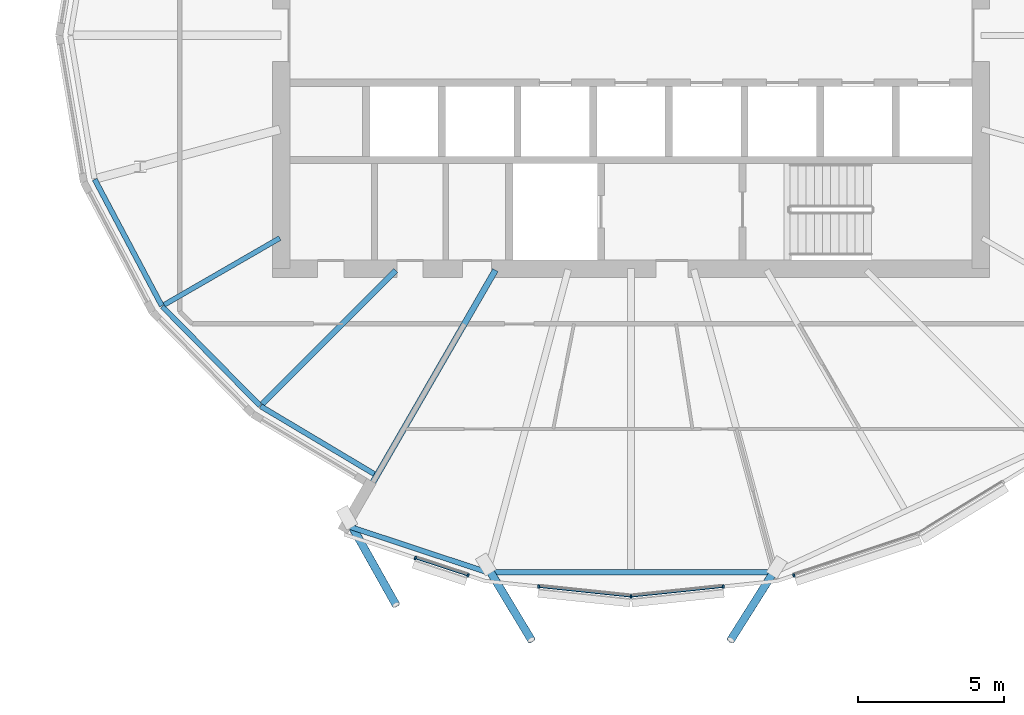
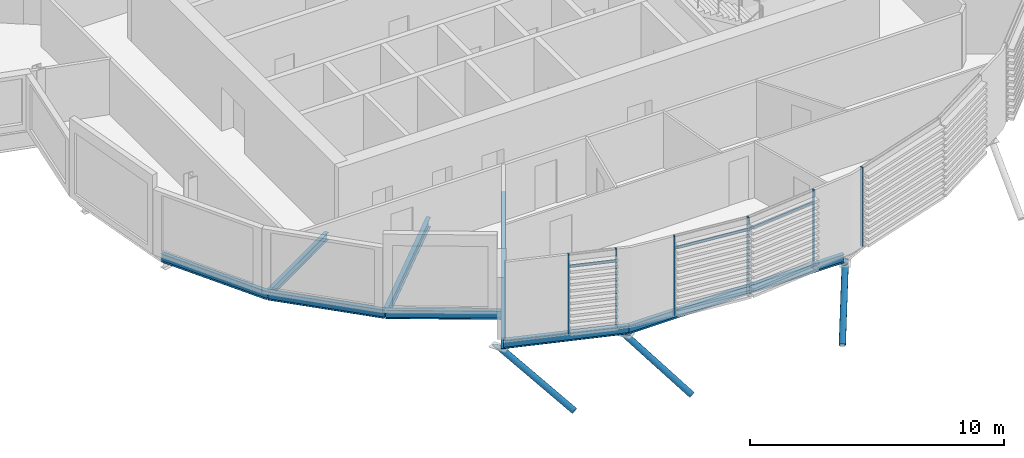
# One storey, part 3 of 36: 12 members, 8 beams, 1 element without a shape of its own.
"""IFC4 building model written with IfcOpenShell, lengths in metres."""

from ifc_helpers import new_model, si_unit, direction, frame, origin, origin_2d, place, context, subcontext, project, spatial, rectangle, hollow_circle, i_section, extrude, clip, halfspace, material, material_profile, profile_set, type_object, element, aggregate, save


model = new_model("IFC4")

# Units and contexts
model_context = context("Model", 3, precision=1e-05, world=origin(), true_north=direction((0.0, 1.0)))
body_context = subcontext(model_context, "Body", "Model", "MODEL_VIEW")
ifc_project = project(units=[si_unit("LENGTHUNIT", "METRE"), si_unit("AREAUNIT", "SQUARE_METRE"), si_unit("VOLUMEUNIT", "CUBIC_METRE"), si_unit("PLANEANGLEUNIT", "RADIAN"), si_unit("MASSUNIT", "GRAM", prefix="KILO")], contexts=[model_context])

# Site, building, storey
site_placement = place(None, origin())
site = spatial("IfcSite", under=ifc_project, at=site_placement, CompositionType="ELEMENT")
building_placement = place(site_placement, origin())
building = spatial("IfcBuilding", under=site, at=building_placement, Name="Rimbun Link Towers", CompositionType="ELEMENT")
storey_placement = place(building_placement, frame((0.0, 0.0, 200.699951171875)))
storey = spatial("IfcBuildingStorey", under=building, at=storey_placement, Name="L49", CompositionType="ELEMENT", Elevation=200.699951171875)

# Curtain wall, members
ifc_material_1 = material(Name="Aluminium 6063-T6 and low-iron glass", Category="aluminium")
curtain_wall_type = type_object("IfcCurtainWallType", Name="CW1-Z3 unitised vision wall (zone 3)", PredefinedType="NOTDEFINED", material=ifc_material_1)
curtain_wall_placement = place(storey_placement, origin())
curtain_wall = element("IfcCurtainWall", 1, at=curtain_wall_placement, inside=storey, type_object=curtain_wall_type, Name="CW1 L49 T1", PredefinedType="NOTDEFINED")
ifc_material_2 = material(Name="Aluminium 6063-T6", Category="aluminium")
ifc_material_profile_1 = material_profile(ifc_material_2, rectangle(XDim=0.1201171875, YDim=0.06005859375, at=origin_2d()), Name="MULLION 60X120")
ifc_profile_set_1 = profile_set([ifc_material_profile_1], Name="Aluminium 6063-T6")
member_type_1 = type_object("IfcMemberType", Name="CW1 mullion 60X120", PredefinedType="MULLION", material=ifc_profile_set_1)
member_1_placement = place(storey_placement, frame((-37.337158203125, -18.5234375, 0.0), z_axis=(0.0, 0.0, 1.0), x_axis=(-0.314557993327, -0.949238257149, 0.0)))
member_1 = element("IfcMember", 2, at=member_1_placement, type_object=member_type_1, Name="CW1 mullion", PredefinedType="MULLION", context=body_context, shape_type="SweptSolid", body=[
    extrude(rectangle(XDim=0.1201171875, YDim=0.06005859375, at=origin_2d()), origin(), (0.0, 0.0, 1.0), 3.800048828125),
])
member_2_placement = place(storey_placement, frame((-39.14453125, -17.924560546875, 0.0), z_axis=(0.0, 0.0, 1.0), x_axis=(-0.314557993327, -0.949238257149, 0.0)))
member_2 = element("IfcMember", 3, at=member_2_placement, type_object=member_type_1, Name="CW1 mullion", PredefinedType="MULLION", context=body_context, shape_type="SweptSolid", body=[
    extrude(rectangle(XDim=0.1201171875, YDim=0.06005859375, at=origin_2d()), origin(), (0.0, 0.0, 1.0), 3.800048828125),
])
member_3_placement = place(storey_placement, frame((-31.75, -19.24169921875, 0.0), z_axis=(0.0, 0.0, 1.0), x_axis=(0.0, -1.0, 0.0)))
member_3 = element("IfcMember", 4, at=member_3_placement, type_object=member_type_1, Name="CW1 mullion", PredefinedType="MULLION", context=body_context, shape_type="SweptSolid", body=[
    extrude(rectangle(XDim=0.1201171875, YDim=0.06005859375, at=origin_2d()), origin(), (0.0, 0.0, 1.0), 3.800048828125),
])
member_4_placement = place(storey_placement, frame((-34.915283203125, -18.90869140625, 0.0), z_axis=(0.0, 0.0, 1.0), x_axis=(-0.104747958219, -0.994498801029, 0.0)))
member_4 = element("IfcMember", 5, at=member_4_placement, type_object=member_type_1, Name="CW1 mullion", PredefinedType="MULLION", context=body_context, shape_type="SweptSolid", body=[
    extrude(rectangle(XDim=0.1201171875, YDim=0.06005859375, at=origin_2d()), origin(), (0.0, 0.0, 1.0), 3.800048828125),
])
member_5_placement = place(storey_placement, frame((-28.584716796875, -18.90869140625, 0.0), z_axis=(0.0, 0.0, 1.0), x_axis=(0.104747958219, -0.994498801029, 0.0)))
member_5 = element("IfcMember", 6, at=member_5_placement, type_object=member_type_1, Name="CW1 mullion", PredefinedType="MULLION", context=body_context, shape_type="SweptSolid", body=[
    extrude(rectangle(XDim=0.1201171875, YDim=0.06005859375, at=origin_2d()), origin(), (0.0, 0.0, 1.0), 3.800048828125),
])
member_6_placement = place(storey_placement, frame((-26.162841796875, -18.5234375, 0.0), z_axis=(0.0, 0.0, 1.0), x_axis=(0.314557993327, -0.949238257149, 0.0)))
member_6 = element("IfcMember", 7, at=member_6_placement, type_object=member_type_1, Name="CW1 mullion", PredefinedType="MULLION", context=body_context, shape_type="SweptSolid", body=[
    extrude(rectangle(XDim=0.1201171875, YDim=0.06005859375, at=origin_2d()), origin(), (0.0, 0.0, 1.0), 3.800048828125),
])
ifc_material_3 = material(Name="Aluminium 6063-T6", Category="aluminium")
ifc_material_profile_2 = material_profile(ifc_material_3, rectangle(XDim=0.06005859375, YDim=0.1201171875, at=origin_2d()), Name="TRANSOM 60X120")
ifc_profile_set_2 = profile_set([ifc_material_profile_2], Name="Aluminium 6063-T6")
member_type_2 = type_object("IfcMemberType", Name="CW1 transom 60X120", PredefinedType="USERDEFINED", material=ifc_profile_set_2)
member_7_placement = place(storey_placement, frame((-37.364990234375, -18.511962890625, 3.199951171875), z_axis=(-0.949264302387, 0.314479385991, 0.0), x_axis=(-0.314479385991, -0.949264302387, 0.0)))
member_7 = element("IfcMember", 8, at=member_7_placement, type_object=member_type_2, Name="CW1 transom", ObjectType="TRANSOM", PredefinedType="USERDEFINED", context=body_context, shape_type="SweptSolid", body=[
    extrude(rectangle(XDim=0.06005859375, YDim=0.1201171875, at=origin_2d()), origin(), (0.0, 0.0, 1.0), 1.84375),
])
member_8_placement = place(storey_placement, frame((-31.785888671875, -19.236328125, 3.199951171875), z_axis=(-0.994499011805, 0.104745957049, 0.0), x_axis=(-0.104745957049, -0.994499011805, 0.0)))
member_8 = element("IfcMember", 9, at=member_8_placement, type_object=member_type_2, Name="CW1 transom", ObjectType="TRANSOM", PredefinedType="USERDEFINED", context=body_context, shape_type="SweptSolid", body=[
    extrude(rectangle(XDim=0.06005859375, YDim=0.1201171875, at=origin_2d()), origin(), (0.0, 0.0, 1.0), 3.1162109375),
])
member_9_placement = place(storey_placement, frame((-28.614990234375, -18.909912109375, 3.199951171875), z_axis=(-0.994499011805, -0.104745957049, 0.0), x_axis=(0.104745957049, -0.994499011805, 0.0)))
member_9 = element("IfcMember", 10, at=member_9_placement, type_object=member_type_2, Name="CW1 transom", ObjectType="TRANSOM", PredefinedType="USERDEFINED", context=body_context, shape_type="SweptSolid", body=[
    extrude(rectangle(XDim=0.06005859375, YDim=0.1201171875, at=origin_2d()), origin(), (0.0, 0.0, 1.0), 3.1162109375),
])
aggregate(curtain_wall, [member_1, member_2, member_3, member_4, member_5, member_6, member_7, member_8, member_9])

# Members
ifc_material_4 = material(Name="Steel S355J2H", Category="steel")
ifc_material_profile_3 = material_profile(ifc_material_4, hollow_circle(Radius=0.136474609375, WallThickness=0.012451171875, at=origin_2d()), Name="CHS 273x12.5")
ifc_profile_set_3 = profile_set([ifc_material_profile_3], Name="Steel S355J2H")
member_type_3 = type_object("IfcMemberType", Name="Floor edge link CHS 273x12.5", PredefinedType="BRACE", material=ifc_profile_set_3)
member_10_placement = place(storey_placement, frame((-41.39501953125, -16.705810546875, -0.803955078125), z_axis=(0.431829274361, -0.769067374338, -0.47123120815), x_axis=(0.871948863789, 0.489596955604, 0.0)))
element("IfcMember", 11, at=member_10_placement, inside=storey, type_object=member_type_3, Name="Floor edge link T1 L49 16", PredefinedType="BRACE", context=body_context, shape_type="Clipping", body=[
    clip(extrude(hollow_circle(Radius=0.136474609375, WallThickness=0.012451171875, at=origin_2d()), frame((0.0, 0.0, -0.531982421875)), (0.0, 0.0, 1.0), 4.212646484375), halfspace(frame((0.0, 0.0, -0.25244140625), z_axis=(0.0, 0.882009721299, -0.47123120815)), False)),
])
member_11_placement = place(storey_placement, frame((-36.64697265625, -18.275390625, -0.868408203125), z_axis=(0.437688317165, -0.727106479551, -0.528909353682), x_axis=(0.856751563011, 0.515729346924, 0.0)))
element("IfcMember", 12, at=member_11_placement, inside=storey, type_object=member_type_3, Name="Floor edge link T1 L49 17", PredefinedType="BRACE", context=body_context, shape_type="Clipping", body=[
    clip(extrude(hollow_circle(Radius=0.136474609375, WallThickness=0.012451171875, at=origin_2d()), frame((0.0, 0.0, -0.456787109375)), (0.0, 0.0, 1.0), 3.8505859375), halfspace(frame((0.0, 0.0, -0.21533203125), z_axis=(0.0, 0.848678322799, -0.528909353682)), False)),
])
member_12_placement = place(storey_placement, frame((-26.829833984375, -18.3623046875, -0.867919921875), z_axis=(-0.450115892744, -0.713858527512, -0.536471514433), x_axis=(0.845885696157, -0.533364217994, 0.0)))
element("IfcMember", 13, at=member_12_placement, inside=storey, type_object=member_type_3, Name="Floor edge link T1 L49 19", PredefinedType="BRACE", context=body_context, shape_type="Clipping", body=[
    clip(extrude(hollow_circle(Radius=0.136474609375, WallThickness=0.012451171875, at=origin_2d()), frame((0.0, 0.0, -0.447998046875)), (0.0, 0.0, 1.0), 3.789794921875), halfspace(frame((0.0, 0.0, -0.21142578125), z_axis=(0.0, 0.843918428642, -0.536471514433)), False)),
])

# Beams
ifc_material_5 = material(Name="Steel S355J2", Category="steel")
ifc_material_profile_4 = material_profile(ifc_material_5, i_section(OverallWidth=0.17138671875, OverallDepth=0.35498046875, WebThickness=0.00732421875, FlangeThickness=0.011474609375, at=origin_2d()), Name="UB 356x171x51")
ifc_profile_set_4 = profile_set([ifc_material_profile_4], Name="Steel S355J2")
beam_type_1 = type_object("IfcBeamType", Name="UB 356x171x51", PredefinedType="BEAM", material=ifc_profile_set_4)
beam_1_placement = place(storey_placement, frame((-43.793701171875, -6.95361328125, -0.327392578125), z_axis=(-0.866047865585, -0.499961093003, 0.0), x_axis=(0.499961093003, -0.866047865585, 0.0)))
element("IfcBeam", 14, at=beam_1_placement, inside=storey, type_object=beam_type_1, Name="Radial beam T1 L49 14", PredefinedType="BEAM", context=body_context, shape_type="SweptSolid", body=[
    extrude(i_section(OverallWidth=0.17138671875, OverallDepth=0.35498046875, WebThickness=0.00732421875, FlangeThickness=0.011474609375, at=origin_2d()), origin(), (0.0, 0.0, 1.0), 4.575439453125),
])
ifc_material_6 = material(Name="Steel S355J2", Category="steel")
ifc_material_profile_5 = material_profile(ifc_material_6, i_section(OverallWidth=0.177978515625, OverallDepth=0.406494140625, WebThickness=0.0078125, FlangeThickness=0.0126953125, at=origin_2d()), Name="UB 406x178x60")
ifc_profile_set_5 = profile_set([ifc_material_profile_5], Name="Steel S355J2")
beam_type_2 = type_object("IfcBeamType", Name="UB 406x178x60", PredefinedType="BEAM", material=ifc_profile_set_5)
beam_2_placement = place(storey_placement, frame((-50.14013671875, -4.943115234375, -0.353271484375), z_axis=(0.468829980345, -0.88328842941, 0.0), x_axis=(0.88328842941, 0.468829980345, 0.0)))
element("IfcBeam", 15, at=beam_2_placement, inside=storey, type_object=beam_type_2, Name="Edge beam T1 L49 13 recess", PredefinedType="BEAM", context=body_context, shape_type="SweptSolid", body=[
    extrude(i_section(OverallWidth=0.177978515625, OverallDepth=0.406494140625, WebThickness=0.0078125, FlangeThickness=0.0126953125, at=origin_2d()), origin(), (0.0, 0.0, 1.0), 4.9033203125),
])
beam_3_placement = place(storey_placement, frame((-47.824951171875, -9.29638671875, -0.353271484375), z_axis=(0.701647333503, -0.712524399153, 0.0), x_axis=(0.712524399153, 0.701647333503, 0.0)))
element("IfcBeam", 16, at=beam_3_placement, inside=storey, type_object=beam_type_2, Name="Edge beam T1 L49 14 recess", PredefinedType="BEAM", context=body_context, shape_type="SweptSolid", body=[
    extrude(i_section(OverallWidth=0.177978515625, OverallDepth=0.406494140625, WebThickness=0.0078125, FlangeThickness=0.0126953125, at=origin_2d()), origin(), (0.0, 0.0, 1.0), 4.78076171875),
])
beam_4_placement = place(storey_placement, frame((-44.451171875, -12.71826171875, -0.353271484375), z_axis=(0.858768378679, -0.512364003206, 0.0), x_axis=(0.512364003206, 0.858768378679, 0.0)))
element("IfcBeam", 17, at=beam_4_placement, inside=storey, type_object=beam_type_2, Name="Edge beam T1 L49 15 recess", PredefinedType="BEAM", context=body_context, shape_type="SweptSolid", body=[
    extrude(i_section(OverallWidth=0.177978515625, OverallDepth=0.406494140625, WebThickness=0.0078125, FlangeThickness=0.0126953125, at=origin_2d()), origin(), (0.0, 0.0, 1.0), 4.533935546875),
])
beam_5_placement = place(storey_placement, frame((-41.465087890625, -16.828857421875, -0.353271484375), z_axis=(0.94940318959, -0.314059840789, 0.0), x_axis=(0.314059840789, 0.94940318959, 0.0)))
element("IfcBeam", 18, at=beam_5_placement, inside=storey, type_object=beam_type_2, Name="Edge beam T1 L49 16", PredefinedType="BEAM", context=body_context, shape_type="SweptSolid", body=[
    extrude(i_section(OverallWidth=0.177978515625, OverallDepth=0.406494140625, WebThickness=0.0078125, FlangeThickness=0.0126953125, at=origin_2d()), origin(), (0.0, 0.0, 1.0), 5.035888671875),
])
beam_6_placement = place(storey_placement, frame((-36.68212890625, -18.41064453125, -0.353271484375), z_axis=(1.0, 0.0, 0.0), x_axis=(0.0, 1.0, 0.0)))
element("IfcBeam", 19, at=beam_6_placement, inside=storey, type_object=beam_type_2, Name="Edge beam T1 L49 17-19", PredefinedType="BEAM", context=body_context, shape_type="SweptSolid", body=[
    extrude(i_section(OverallWidth=0.177978515625, OverallDepth=0.406494140625, WebThickness=0.0078125, FlangeThickness=0.0126953125, at=origin_2d()), origin(), (0.0, 0.0, 1.0), 9.746337890625),
])
ifc_material_7 = material(Name="Steel S355J2", Category="steel")
ifc_material_profile_6 = material_profile(ifc_material_7, i_section(OverallWidth=0.18994140625, OverallDepth=0.453369140625, WebThickness=0.008544921875, FlangeThickness=0.0126953125, at=origin_2d()), Name="UB 457x191x67")
ifc_profile_set_6 = profile_set([ifc_material_profile_6], Name="Steel S355J2")
beam_type_3 = type_object("IfcBeamType", Name="UB 457x191x67", PredefinedType="BEAM", material=ifc_profile_set_6)
beam_7_placement = place(storey_placement, frame((-39.81787109375, -8.06787109375, -0.376708984375), z_axis=(-0.707106781187, -0.707106781187, 0.0), x_axis=(0.707106781187, -0.707106781187, 0.0)))
element("IfcBeam", 20, at=beam_7_placement, inside=storey, type_object=beam_type_3, Name="Radial beam T1 L49 15", PredefinedType="BEAM", context=body_context, shape_type="SweptSolid", body=[
    extrude(i_section(OverallWidth=0.18994140625, OverallDepth=0.453369140625, WebThickness=0.008544921875, FlangeThickness=0.0126953125, at=origin_2d()), origin(), (0.0, 0.0, 1.0), 6.476806640625),
])
ifc_material_8 = material(Name="Steel S355J2", Category="steel")
ifc_material_profile_7 = material_profile(ifc_material_8, i_section(OverallWidth=0.209228515625, OverallDepth=0.533203125, WebThickness=0.010009765625, FlangeThickness=0.015625, at=origin_2d()), Name="UB 533x210x92")
ifc_profile_set_7 = profile_set([ifc_material_profile_7], Name="Steel S355J2")
beam_type_4 = type_object("IfcBeamType", Name="UB 533x210x92", PredefinedType="BEAM", material=ifc_profile_set_7)
beam_8_placement = place(storey_placement, frame((-36.3994140625, -8.05322265625, -0.41650390625), z_axis=(-0.500017106834, -0.866015526924, 0.0), x_axis=(0.866015526924, -0.500017106834, 0.0)))
element("IfcBeam", 21, at=beam_8_placement, inside=storey, type_object=beam_type_4, Name="Radial beam T1 L49 16", PredefinedType="BEAM", context=body_context, shape_type="SweptSolid", body=[
    extrude(i_section(OverallWidth=0.209228515625, OverallDepth=0.533203125, WebThickness=0.010009765625, FlangeThickness=0.015625, at=origin_2d()), origin(), (0.0, 0.0, 1.0), 10.041259765625),
])

save(model, "model.ifc")
